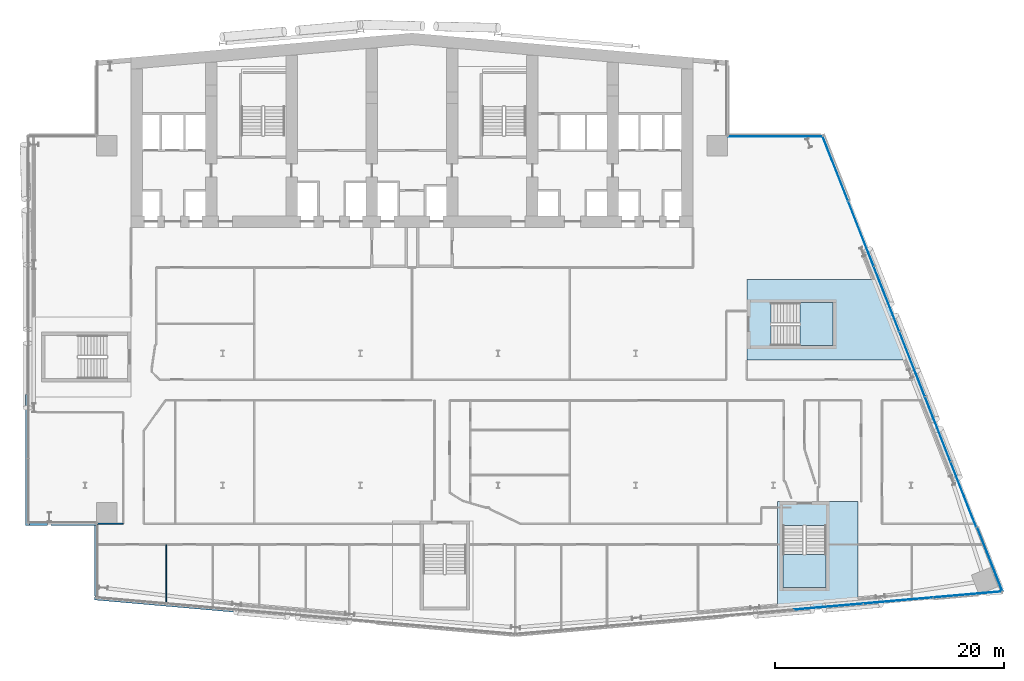
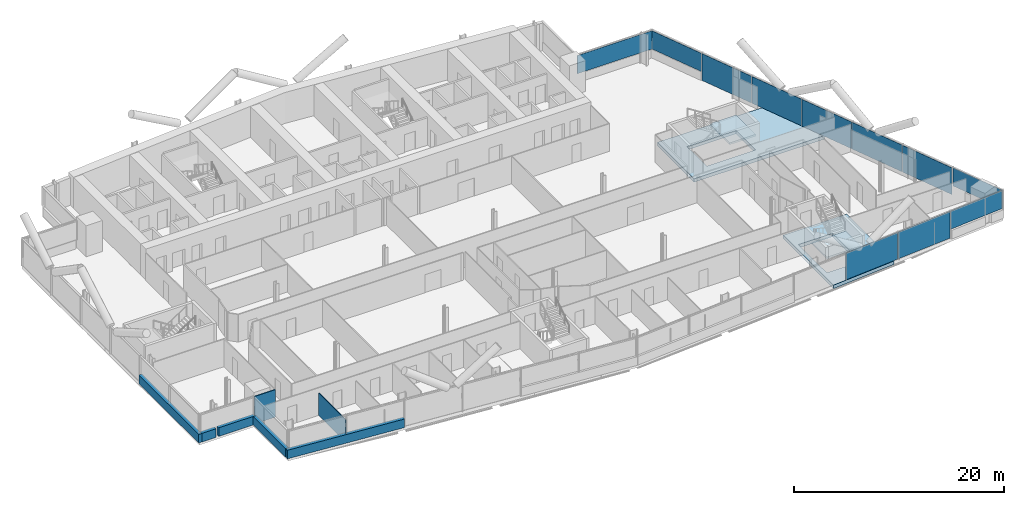
# One storey, part 13 of 28: 11 plates, 7 walls, 4 slabs, 5 elements without a shape of their own.
"""IFC4 building model written with IfcOpenShell, lengths in metres."""

from ifc_helpers import new_model, si_unit, direction, frame, frame_2d, origin, origin_2d, place, context, subcontext, project, spatial, polyline, rectangle, outline, extrude, material, layer, layer_set, type_object, element, aggregate, save


model = new_model("IFC4")

# Units and contexts
model_context = context("Model", 3, precision=1e-05, world=origin(), true_north=direction((0.0, 1.0)))
body_context = subcontext(model_context, "Body", "Model", "MODEL_VIEW")
ifc_project = project(units=[si_unit("LENGTHUNIT", "METRE"), si_unit("AREAUNIT", "SQUARE_METRE"), si_unit("VOLUMEUNIT", "CUBIC_METRE"), si_unit("PLANEANGLEUNIT", "RADIAN"), si_unit("MASSUNIT", "GRAM", prefix="KILO")], contexts=[model_context])

# Site, building, storey
site_placement = place(None, origin())
site = spatial("IfcSite", under=ifc_project, at=site_placement, CompositionType="ELEMENT")
building_placement = place(site_placement, origin())
building = spatial("IfcBuilding", under=site, at=building_placement, Name="Wharfspan Tower", CompositionType="ELEMENT")
storey_placement = place(building_placement, frame((0.0, 0.0, 132.699951)))
storey = spatial("IfcBuildingStorey", under=building, at=storey_placement, Name="L31", CompositionType="ELEMENT", Elevation=132.699951)

# Curtain wall, plate
ifc_material_1 = material(Name="Aluminium 6063-T6", Category="aluminium")
curtain_wall_type_1 = type_object("IfcCurtainWallType", Name="CURTAIN WALL FACETED FRONT", PredefinedType="NOTDEFINED", material=ifc_material_1)
curtain_wall_1_placement = place(storey_placement, origin())
curtain_wall_1 = element("IfcCurtainWall", 1, at=curtain_wall_1_placement, inside=storey, type_object=curtain_wall_type_1, Name="Curtain wall S2", PredefinedType="NOTDEFINED")
ifc_material_2 = material(Name="Glass clear low-iron double glazing", Category="glass")
ifc_layer_1 = layer(ifc_material_2, 0.040039)
ifc_layer_set_1 = layer_set([ifc_layer_1], Name="Glass clear low-iron double glazing")
plate_type_1 = type_object("IfcPlateType", Name="GLASS PANEL FACETED FRONT 40", PredefinedType="CURTAIN_PANEL", material=ifc_layer_set_1)
plate_1_placement = place(storey_placement, frame((88.944092, 1.99292, 1.0), z_axis=(0.0, 0.0, 1.0), x_axis=(0.996198, 0.087156, 0.0)))
plate_1 = element("IfcPlate", 2, at=plate_1_placement, type_object=plate_type_1, Name="Curtain wall S2 panel 7", PredefinedType="CURTAIN_PANEL", context=body_context, shape_type="SweptSolid", body=[
    extrude(rectangle(XDim=6.004639, YDim=0.040039, at=origin_2d()), origin(), (0.0, 0.0, 1.0), 2.120117),
])

# Curtain wall, plates
curtain_wall_type_2 = type_object("IfcCurtainWallType", Name="CURTAIN WALL PROW AND END", PredefinedType="NOTDEFINED", material=ifc_material_1)
curtain_wall_2_placement = place(storey_placement, origin())
curtain_wall_2 = element("IfcCurtainWall", 3, at=curtain_wall_2_placement, inside=storey, type_object=curtain_wall_type_2, Name="Curtain wall E", PredefinedType="NOTDEFINED")
ifc_layer_2 = layer(ifc_material_2, 0.040039)
ifc_layer_set_2 = layer_set([ifc_layer_2], Name="Glass clear low-iron double glazing")
plate_type_2 = type_object("IfcPlateType", Name="GLASS PANEL PROW AND END 40", PredefinedType="CURTAIN_PANEL", material=ifc_layer_set_2)
plate_2_placement = place(storey_placement, frame((90.877197, 5.056885, 1.0), z_axis=(0.0, 0.0, 1.0), x_axis=(-0.365778, 0.930702, 0.0)))
plate_2 = element("IfcPlate", 4, at=plate_2_placement, type_object=plate_type_2, Name="Curtain wall E panel 1", PredefinedType="CURTAIN_PANEL", context=body_context, shape_type="SweptSolid", body=[
    extrude(rectangle(XDim=6.019043, YDim=0.040039, at=origin_2d()), origin(), (0.0, 0.0, 1.0), 2.120117),
])
plate_3_placement = place(storey_placement, frame((77.406494, 39.114014, 1.0), z_axis=(0.0, 0.0, 1.0), x_axis=(-0.365778, 0.930702, 0.0)))
plate_3 = element("IfcPlate", 5, at=plate_3_placement, type_object=plate_type_2, Name="Curtain wall E panel 7", PredefinedType="CURTAIN_PANEL", context=body_context, shape_type="SweptSolid", body=[
    extrude(rectangle(XDim=6.019043, YDim=0.040039, at=origin_2d()), origin(), (0.0, 0.0, 1.0), 2.120117),
])

# Curtain wall, plate
curtain_wall_3_placement = place(storey_placement, origin())
curtain_wall_3 = element("IfcCurtainWall", 6, at=curtain_wall_3_placement, inside=storey, type_object=curtain_wall_type_2, Name="Curtain wall NRE-H", PredefinedType="NOTDEFINED")
plate_4_placement = place(storey_placement, frame((72.178955, 41.919922, 1.0), z_axis=(0.0, 0.0, 1.0), x_axis=(-1.0, 0.0, 0.0)))
plate_4 = element("IfcPlate", 7, at=plate_4_placement, type_object=plate_type_2, Name="Curtain wall NRE-H panel 1", PredefinedType="CURTAIN_PANEL", context=body_context, shape_type="SweptSolid", body=[
    extrude(rectangle(XDim=8.238037, YDim=0.040039, at=origin_2d()), origin(), (0.0, 0.0, 1.0), 2.120117),
])
aggregate(curtain_wall_3, [plate_4])

# Plate
ifc_material_3 = material(Name="Aluminium composite opaque insulated panel", Category="aluminium")
ifc_layer_3 = layer(ifc_material_3, 0.040039)
ifc_layer_set_3 = layer_set([ifc_layer_3], Name="Aluminium composite opaque insulated panel")
plate_type_3 = type_object("IfcPlateType", Name="INFILL PANEL FACETED FRONT OPAQUE 40", PredefinedType="SHEET", material=ifc_layer_set_3)
plate_5_placement = place(storey_placement, frame((76.816162, 0.931885, 0.0), z_axis=(0.0, 0.0, 1.0), x_axis=(0.996198, 0.087156, 0.0)))
plate_5 = element("IfcPlate", 8, at=plate_5_placement, type_object=plate_type_3, Name="Curtain wall S2 panel 5", PredefinedType="SHEET", context=body_context, shape_type="SweptSolid", body=[
    extrude(rectangle(XDim=6.034668, YDim=0.040039, at=origin_2d()), origin(), (0.0, 0.0, 1.0), 3.120117),
])

plate_6_placement = place(storey_placement, frame((82.887695, 1.462891, 0.0), z_axis=(0.0, 0.0, 1.0), x_axis=(0.996198, 0.087156, 0.0)))
plate_6 = element("IfcPlate", 9, at=plate_6_placement, type_object=plate_type_3, Name="Curtain wall S2 panel 6", PredefinedType="SHEET", context=body_context, shape_type="SweptSolid", body=[
    extrude(rectangle(XDim=6.034668, YDim=0.040039, at=origin_2d()), origin(), (0.0, 0.0, 1.0), 3.120117),
])

aggregate(curtain_wall_1, [plate_5, plate_6, plate_1])

ifc_layer_4 = layer(ifc_material_3, 0.040039)
ifc_layer_set_4 = layer_set([ifc_layer_4], Name="Aluminium composite opaque insulated panel")
plate_type_4 = type_object("IfcPlateType", Name="INFILL PANEL PROW AND END OPAQUE 40", PredefinedType="SHEET", material=ifc_layer_set_4)
plate_7_placement = place(storey_placement, frame((88.57373, 10.699219, 0.0), z_axis=(0.0, 0.0, 1.0), x_axis=(-0.365778, 0.930702, 0.0)))
plate_7 = element("IfcPlate", 10, at=plate_7_placement, type_object=plate_type_4, Name="Curtain wall E panel 2", PredefinedType="SHEET", context=body_context, shape_type="SweptSolid", body=[
    extrude(rectangle(XDim=6.049072, YDim=0.040039, at=origin_2d()), origin(), (0.0, 0.0, 1.0), 3.120117),
])

plate_8_placement = place(storey_placement, frame((86.339111, 16.38501, 0.0), z_axis=(0.0, 0.0, 1.0), x_axis=(-0.365778, 0.930702, 0.0)))
plate_8 = element("IfcPlate", 11, at=plate_8_placement, type_object=plate_type_4, Name="Curtain wall E panel 3", PredefinedType="SHEET", context=body_context, shape_type="SweptSolid", body=[
    extrude(rectangle(XDim=6.049072, YDim=0.040039, at=origin_2d()), origin(), (0.0, 0.0, 1.0), 3.120117),
])

plate_9_placement = place(storey_placement, frame((84.104492, 22.070801, 0.0), z_axis=(0.0, 0.0, 1.0), x_axis=(-0.365778, 0.930702, 0.0)))
plate_9 = element("IfcPlate", 12, at=plate_9_placement, type_object=plate_type_4, Name="Curtain wall E panel 4", PredefinedType="SHEET", context=body_context, shape_type="SweptSolid", body=[
    extrude(rectangle(XDim=6.049072, YDim=0.040039, at=origin_2d()), origin(), (0.0, 0.0, 1.0), 3.120117),
])

plate_10_placement = place(storey_placement, frame((81.870117, 27.756348, 0.0), z_axis=(0.0, 0.0, 1.0), x_axis=(-0.365778, 0.930702, 0.0)))
plate_10 = element("IfcPlate", 13, at=plate_10_placement, type_object=plate_type_4, Name="Curtain wall E panel 5", PredefinedType="SHEET", context=body_context, shape_type="SweptSolid", body=[
    extrude(rectangle(XDim=6.049072, YDim=0.040039, at=origin_2d()), origin(), (0.0, 0.0, 1.0), 3.120117),
])

plate_11_placement = place(storey_placement, frame((79.635498, 33.442139, 0.0), z_axis=(0.0, 0.0, 1.0), x_axis=(-0.365778, 0.930702, 0.0)))
plate_11 = element("IfcPlate", 14, at=plate_11_placement, type_object=plate_type_4, Name="Curtain wall E panel 6", PredefinedType="SHEET", context=body_context, shape_type="SweptSolid", body=[
    extrude(rectangle(XDim=6.049072, YDim=0.040039, at=origin_2d()), origin(), (0.0, 0.0, 1.0), 3.120117),
])

aggregate(curtain_wall_2, [plate_2, plate_7, plate_8, plate_9, plate_10, plate_11, plate_3])

# Slabs
ifc_material_4 = material(Name="Concrete C40/50", Category="concrete")
ifc_layer_5 = layer(ifc_material_4, 0.399902)
ifc_layer_set_5 = layer_set([ifc_layer_5], Name="Concrete C40/50")
slab_type_1 = type_object("IfcSlabType", Name="Post-tensioned flat slab 400", PredefinedType="FLOOR", material=ifc_layer_set_5)
slab_1_placement = place(storey_placement, frame((0.0, 0.0, -0.400146)))
element("IfcSlab", 15, at=slab_1_placement, inside=storey, type_object=slab_type_1, Name="Core floor slab L31 part 5", PredefinedType="FLOOR", context=body_context, shape_type="SweptSolid", body=[
    extrude(outline(polyline([(79.365967, 10.094727), (76.891113, 10.094727), (72.541016, 10.094727), (72.365967, 10.094727), (72.365967, 0.482178), (79.365967, 1.094727), (79.365967, 10.094727)]), holes=[polyline([(76.591064, 7.996582), (76.591309, 7.996582), (76.591309, 7.996582), (76.591553, 7.996582), (76.591797, 7.996582), (76.591797, 7.996338), (76.592041, 7.996338), (76.592285, 7.996094), (76.592285, 7.996094), (76.592529, 7.99585), (76.592773, 7.99585), (76.592773, 7.995605), (76.593018, 7.995361), (76.593018, 7.995117), (76.593018, 7.995117), (76.593018, 7.994873), (76.593018, 7.994629), (76.593018, 2.594727), (76.593018, 2.594482), (76.593018, 2.594238), (76.593018, 2.593994), (76.593018, 2.593994), (76.592773, 2.59375), (76.592773, 2.593506), (76.592529, 2.593506), (76.592285, 2.593262), (76.592285, 2.593018), (76.592041, 2.593018), (76.591797, 2.593018), (76.591797, 2.592773), (76.591553, 2.592773), (76.591309, 2.592773), (76.591309, 2.592773), (76.591064, 2.592773), (72.841064, 2.592773), (72.84082, 2.592773), (72.840576, 2.592773), (72.840332, 2.592773), (72.840088, 2.592773), (72.840088, 2.593018), (72.839844, 2.593018), (72.8396, 2.593018), (72.8396, 2.593262), (72.8396, 2.593506), (72.839355, 2.593506), (72.839111, 2.59375), (72.839111, 2.593994), (72.839111, 2.593994), (72.839111, 2.594238), (72.839111, 2.594482), (72.839111, 2.594727), (72.839111, 7.994629), (72.839111, 7.994873), (72.839111, 7.995117), (72.839111, 7.995117), (72.839111, 7.995361), (72.839111, 7.995605), (72.839355, 7.99585), (72.8396, 7.99585), (72.8396, 7.996094), (72.8396, 7.996094), (72.839844, 7.996338), (72.840088, 7.996338), (72.840088, 7.996582), (72.840332, 7.996582), (72.840576, 7.996582), (72.84082, 7.996582), (72.841064, 7.996582), (76.591064, 7.996582)])]), origin(), (0.0, 0.0, 1.0), 0.400146),
])
slab_2_placement = place(storey_placement, frame((0.0, 0.0, -0.400146)))
element("IfcSlab", 16, at=slab_2_placement, inside=storey, type_object=slab_type_1, Name="Core floor slab L31 part 6", PredefinedType="FLOOR", context=body_context, shape_type="SweptSolid", body=[
    extrude(outline(polyline([(81.290283, 29.449951), (69.69043, 29.449951), (69.69043, 27.725098), (69.69043, 23.375), (69.69043, 22.449951), (84.041504, 22.449951), (81.290283, 29.449951)]), holes=[polyline([(71.790283, 23.673096), (71.790283, 23.673096), (71.790039, 23.673096), (71.789795, 23.673096), (71.789551, 23.673096), (71.789551, 23.673096), (71.789307, 23.67334), (71.789062, 23.673584), (71.789062, 23.673584), (71.788818, 23.673584), (71.788818, 23.673828), (71.788574, 23.674072), (71.788574, 23.674316), (71.788574, 23.674316), (71.78833, 23.674561), (71.78833, 23.674805), (71.78833, 23.675049), (71.78833, 27.425049), (71.78833, 27.425293), (71.78833, 27.425293), (71.788574, 27.425537), (71.788574, 27.425781), (71.788574, 27.425781), (71.788818, 27.426025), (71.788818, 27.42627), (71.789062, 27.426514), (71.789062, 27.426514), (71.789307, 27.426758), (71.789551, 27.426758), (71.789551, 27.426758), (71.789795, 27.427002), (71.790039, 27.427002), (71.790283, 27.427002), (71.790283, 27.427002), (77.19043, 27.427002), (77.190674, 27.427002), (77.190918, 27.427002), (77.190918, 27.427002), (77.191162, 27.426758), (77.191406, 27.426758), (77.191406, 27.426758), (77.19165, 27.426514), (77.191895, 27.426514), (77.191895, 27.42627), (77.192139, 27.426025), (77.192139, 27.425781), (77.192139, 27.425781), (77.192383, 27.425537), (77.192383, 27.425293), (77.192383, 27.425293), (77.192383, 27.425049), (77.192383, 23.675049), (77.192383, 23.674805), (77.192383, 23.674561), (77.192383, 23.674316), (77.192139, 23.674316), (77.192139, 23.674072), (77.192139, 23.673828), (77.191895, 23.673584), (77.191895, 23.673584), (77.19165, 23.673584), (77.191406, 23.67334), (77.191406, 23.673096), (77.191162, 23.673096), (77.190918, 23.673096), (77.190918, 23.673096), (77.190674, 23.673096), (77.19043, 23.673096), (71.790283, 23.673096)])]), origin(), (0.0, 0.0, 1.0), 0.400146),
])

# Stair, slab
stair_type = type_object("IfcStairType", Name="Half-turn stair 20 risers 180 mm", PredefinedType="HALF_TURN_STAIR", material=ifc_material_4)
stair_1_placement = place(storey_placement, origin())
stair_1 = element("IfcStair", 17, at=stair_1_placement, inside=storey, type_object=stair_type, Name="L31 stair ST5", PredefinedType="HALF_TURN_STAIR")
ifc_layer_6 = layer(ifc_material_4, 0.199951)
ifc_layer_set_6 = layer_set([ifc_layer_6], Name="Concrete C40/50")
slab_type_2 = type_object("IfcSlabType", Name="Stair landing 200", PredefinedType="LANDING", material=ifc_layer_set_6)
slab_3_placement = place(storey_placement, frame((0.0, 0.0, 1.599854)))
slab_3 = element("IfcSlab", 18, at=slab_3_placement, type_object=slab_type_2, Name="ST5 landing 1", PredefinedType="LANDING", context=body_context, shape_type="SweptSolid", body=[
    extrude(outline(polyline([(72.841064, 5.474609), (72.841064, 2.594727), (76.591064, 2.594727), (76.591064, 5.474609), (72.841064, 5.474609)])), origin(), (0.0, 0.0, 1.0), 0.200195),
])
aggregate(stair_1, [slab_3])

stair_2_placement = place(storey_placement, origin())
stair_2 = element("IfcStair", 19, at=stair_2_placement, inside=storey, type_object=stair_type, Name="L31 stair ST6", PredefinedType="HALF_TURN_STAIR")
slab_4_placement = place(storey_placement, frame((0.0, 0.0, 1.599854)))
slab_4 = element("IfcSlab", 20, at=slab_4_placement, type_object=slab_type_2, Name="ST6 landing 1", PredefinedType="LANDING", context=body_context, shape_type="SweptSolid", body=[
    extrude(outline(polyline([(74.310303, 23.675049), (77.19043, 23.675049), (77.19043, 27.425049), (74.310303, 27.425049), (74.310303, 23.675049)])), origin(), (0.0, 0.0, 1.0), 0.200195),
])
aggregate(stair_2, [slab_4])

# Walls
ifc_material_5 = material(Name="Gypsum board on steel studs", Category="steel")
ifc_layer_7 = layer(ifc_material_5, 0.100098)
ifc_layer_set_7 = layer_set([ifc_layer_7], Name="Gypsum board on steel studs")
wall_type_1 = type_object("IfcWallType", Name="Compartment wall 100 EI 60", PredefinedType="PARTITIONING", material=ifc_layer_set_7)
wall_1_placement = place(storey_placement, frame((13.02002, 8.149902, 0.0), z_axis=(0.0, 0.0, 1.0), x_axis=(1.0, 0.0, 0.0)))
element("IfcWall", 21, at=wall_1_placement, inside=storey, type_object=wall_type_1, Name="Partition L31.w004", PredefinedType="PARTITIONING", context=body_context, shape_type="SweptSolid", body=[
    extrude(rectangle(XDim=2.300049, YDim=0.100098, at=frame_2d((1.149902, 0.0))), origin(), (0.0, 0.0, 1.0), 3.199951),
])
wall_2_placement = place(storey_placement, frame((19.084961, 1.162842, 0.0), z_axis=(0.0, 0.0, 1.0), x_axis=(0.0, 1.0, 0.0)))
element("IfcWall", 22, at=wall_2_placement, inside=storey, type_object=wall_type_1, Name="Partition L31.w021", PredefinedType="PARTITIONING", context=body_context, shape_type="SweptSolid", body=[
    extrude(rectangle(XDim=5.182129, YDim=0.100098, at=frame_2d((2.591064, 0.0))), origin(), (0.0, 0.0, 1.0), 2.580078),
])
ifc_layer_8 = layer(ifc_material_4, 0.350098)
ifc_layer_set_8 = layer_set([ifc_layer_8], Name="Concrete C40/50")
wall_type_2 = type_object("IfcWallType", Name="SPANDREL EXPOSED CONCRETE 350", PredefinedType="SOLIDWALL", material=ifc_layer_set_8)
wall_3_placement = place(storey_placement, frame((12.835205, 1.68457, 0.0), z_axis=(0.0, 0.0, 1.0), x_axis=(0.996192, -0.087173, 0.0)))
element("IfcWall", 23, at=wall_3_placement, inside=storey, type_object=wall_type_2, Name="Spandrel upstand L31 S1 1", PredefinedType="SOLIDWALL", context=body_context, shape_type="SweptSolid", body=[
    extrude(rectangle(XDim=12.348145, YDim=0.350098, at=frame_2d((6.174072, 0.0))), origin(), (0.0, 0.0, 1.0), 1.0),
])
wall_4_placement = place(storey_placement, frame((6.995117, 19.436768, 0.0), z_axis=(0.0, 0.0, 1.0), x_axis=(0.0, -1.0, 0.0)))
element("IfcWall", 24, at=wall_4_placement, inside=storey, type_object=wall_type_2, Name="Spandrel upstand L31 W", PredefinedType="SOLIDWALL", context=body_context, shape_type="SweptSolid", body=[
    extrude(rectangle(XDim=11.416748, YDim=0.350098, at=frame_2d((5.708496, 0.0))), origin(), (0.0, 0.0, 1.0), 1.0),
])
wall_5_placement = place(storey_placement, frame((7.169922, 8.195068, 0.0), z_axis=(0.0, 0.0, 1.0), x_axis=(1.0, 0.0, 0.0)))
element("IfcWall", 25, at=wall_5_placement, inside=storey, type_object=wall_type_2, Name="Spandrel upstand L31 NFW-H", PredefinedType="SOLIDWALL", context=body_context, shape_type="SweptSolid", body=[
    extrude(rectangle(XDim=1.563232, YDim=0.350098, at=frame_2d((0.781738, 0.0))), origin(), (0.0, 0.0, 1.0), 1.0),
])
wall_6_placement = place(storey_placement, frame((9.036133, 8.195068, 0.0), z_axis=(0.0, 0.0, 1.0), x_axis=(1.0, 0.0, 0.0)))
element("IfcWall", 26, at=wall_6_placement, inside=storey, type_object=wall_type_2, Name="Spandrel upstand L31 NFW-H 2", PredefinedType="SOLIDWALL", context=body_context, shape_type="SweptSolid", body=[
    extrude(rectangle(XDim=3.963867, YDim=0.350098, at=frame_2d((1.981934, 0.0))), origin(), (0.0, 0.0, 1.0), 1.0),
])
wall_7_placement = place(storey_placement, frame((12.995117, 8.02002, 0.0), z_axis=(0.0, 0.0, 1.0), x_axis=(0.0, -1.0, 0.0)))
element("IfcWall", 27, at=wall_7_placement, inside=storey, type_object=wall_type_2, Name="Spandrel upstand L31 NFW-V", PredefinedType="SOLIDWALL", context=body_context, shape_type="SweptSolid", body=[
    extrude(rectangle(XDim=6.161133, YDim=0.350098, at=frame_2d((3.080566, 0.0))), origin(), (0.0, 0.0, 1.0), 1.0),
])

save(model, "model.ifc")
